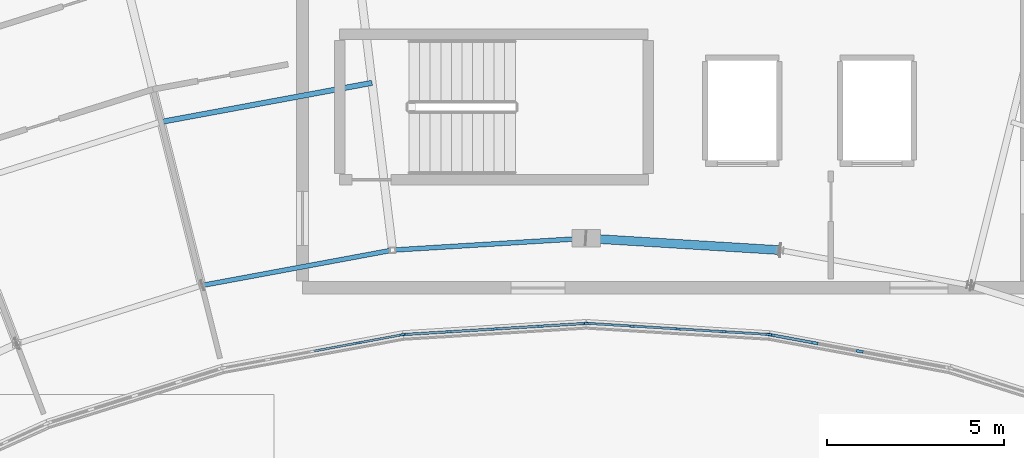
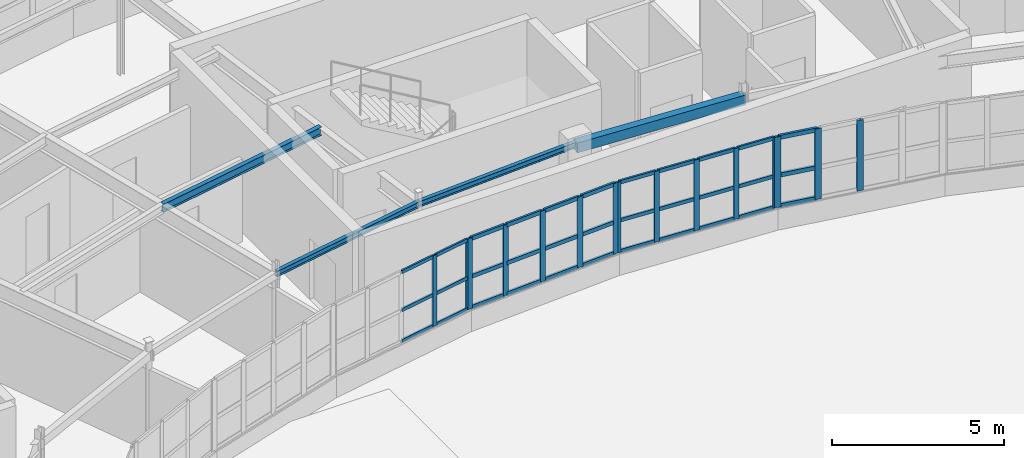
# One storey, part 44 of 128: 48 members, 4 beams, 4 elements without a shape of their own.
"""IFC4 building model written with IfcOpenShell, lengths in metres."""

from ifc_helpers import new_model, si_unit, direction, frame, origin, origin_2d, place, context, subcontext, project, spatial, rectangle, hollow_rectangle, i_section, extrude, material, layer, layer_set, material_profile, profile_set, type_object, element, aggregate, save


model = new_model("IFC4")

# Units and contexts
model_context = context("Model", 3, precision=1e-05, world=origin(), true_north=direction((0.0, 1.0)))
body_context = subcontext(model_context, "Body", "Model", "MODEL_VIEW")
ifc_project = project(units=[si_unit("LENGTHUNIT", "METRE"), si_unit("AREAUNIT", "SQUARE_METRE"), si_unit("VOLUMEUNIT", "CUBIC_METRE"), si_unit("PLANEANGLEUNIT", "RADIAN"), si_unit("MASSUNIT", "GRAM", prefix="KILO")], contexts=[model_context])

# Site, building, storey
site_placement = place(None, origin())
site = spatial("IfcSite", under=ifc_project, at=site_placement, CompositionType="ELEMENT")
building_placement = place(site_placement, origin())
building = spatial("IfcBuilding", under=site, at=building_placement, Name="Tarnwether General Hospital", CompositionType="ELEMENT")
storey_placement = place(building_placement, frame((0.0, 0.0, 14.39990234375)))
storey = spatial("IfcBuildingStorey", under=building, at=storey_placement, Name="L03", CompositionType="ELEMENT", Elevation=14.39990234375)

# Beams
ifc_material_1 = material(Name="Steel Grade 350 (350 MPa)", Category="steel")
ifc_material_profile_1 = material_profile(ifc_material_1, i_section(OverallWidth=0.14892578125, OverallDepth=0.298095703125, WebThickness=0.005615234375, FlangeThickness=0.008056640625, at=origin_2d()), Name="310UB32.0")
ifc_profile_set_1 = profile_set([ifc_material_profile_1], Name="Steel Grade 350 (350 MPa)")
beam_type_1 = type_object("IfcBeamType", Name="BM-J08", PredefinedType="JOIST", material=ifc_profile_set_1)
beam_1_placement = place(storey_placement, frame((80.011962890625, 111.080078125, 3.4111328125), z_axis=(0.983241575901, 0.182307442029, 0.0), x_axis=(-0.182307442029, 0.983241575901, 0.0)))
element("IfcBeam", 1, at=beam_1_placement, inside=storey, type_object=beam_type_1, Name="Curved Ward NW Chord Joist BMG-L03-8001_11108-8596_11218-1934", PredefinedType="JOIST", context=body_context, shape_type="SweptSolid", body=[
    extrude(i_section(OverallWidth=0.14892578125, OverallDepth=0.298095703125, WebThickness=0.005615234375, FlangeThickness=0.008056640625, at=origin_2d()), origin(), (0.0, 0.0, 1.0), 6.05029296875),
])
ifc_material_2 = material(Name="Steel Grade 350 (350 MPa)", Category="steel")
ifc_material_profile_2 = material_profile(ifc_material_2, i_section(OverallWidth=0.133056640625, OverallDepth=0.202880859375, WebThickness=0.005859375, FlangeThickness=0.0078125, at=origin_2d()), Name="200UB25.4")
ifc_profile_set_2 = profile_set([ifc_material_profile_2], Name="Steel Grade 350 (350 MPa)")
beam_type_2 = type_object("IfcBeamType", Name="BM-SP5", PredefinedType="SPANDREL", material=ifc_profile_set_2)
beam_2_placement = place(storey_placement, frame((81.162109375, 106.468994140625, 3.45849609375), z_axis=(0.983244096291, 0.18229384825, 0.0), x_axis=(-0.18229384825, 0.983244096291, 0.0)))
element("IfcBeam", 2, at=beam_2_placement, inside=storey, type_object=beam_type_2, Name="Curved Ward NW Inner Spandrel BMG-L03-8116_10647-8654_10747-1932", PredefinedType="SPANDREL", context=body_context, shape_type="SweptSolid", body=[
    extrude(i_section(OverallWidth=0.133056640625, OverallDepth=0.202880859375, WebThickness=0.005859375, FlangeThickness=0.0078125, at=origin_2d()), origin(), (0.0, 0.0, 1.0), 5.469482421875),
])
ifc_material_3 = material(Name="Steel Grade 350 (350 MPa)", Category="steel")
ifc_material_profile_3 = material_profile(ifc_material_3, i_section(OverallWidth=0.133056640625, OverallDepth=0.201904296875, WebThickness=0.0048828125, FlangeThickness=0.007080078125, at=origin_2d()), Name="200UB22.3")
ifc_profile_set_3 = profile_set([ifc_material_profile_3], Name="Steel Grade 350 (350 MPa)")
beam_type_3 = type_object("IfcBeamType", Name="BM-SP6", PredefinedType="SPANDREL", material=ifc_profile_set_3)
beam_3_placement = place(storey_placement, frame((86.5400390625, 107.466064453125, 3.458984375), z_axis=(0.998134365538, 0.061055616708, 0.0), x_axis=(-0.061055616708, 0.998134365538, 0.0)))
element("IfcBeam", 3, at=beam_3_placement, inside=storey, type_object=beam_type_3, Name="Curved Ward NW Inner Spandrel BMG-L03-8654_10747-9200_10780-1936", PredefinedType="SPANDREL", context=body_context, shape_type="SweptSolid", body=[
    extrude(i_section(OverallWidth=0.133056640625, OverallDepth=0.201904296875, WebThickness=0.0048828125, FlangeThickness=0.007080078125, at=origin_2d()), origin(), (0.0, 0.0, 1.0), 5.47021484375),
])
ifc_material_4 = material(Name="Steel Grade C350L0 (350 MPa)", Category="steel")
ifc_material_profile_4 = material_profile(ifc_material_4, hollow_rectangle(XDim=0.25, YDim=0.35009765625, WallThickness=0.012451171875, at=origin_2d()), Name="RHS350x250x12.5")
ifc_profile_set_4 = profile_set([ifc_material_profile_4], Name="Steel Grade C350L0 (350 MPa)")
beam_type_4 = type_object("IfcBeamType", Name="BM-SP7", PredefinedType="SPANDREL", material=ifc_profile_set_4)
beam_4_placement = place(storey_placement, frame((92.0, 107.800048828125, 3.385009765625), z_axis=(0.998134365538, -0.061055616708, 0.0), x_axis=(0.061055616708, 0.998134365538, 0.0)))
element("IfcBeam", 4, at=beam_4_placement, inside=storey, type_object=beam_type_4, Name="Curved Ward NW Inner Spandrel BMG-L03-9200_10780-9746_10747-1938", PredefinedType="SPANDREL", context=body_context, shape_type="SweptSolid", body=[
    extrude(hollow_rectangle(XDim=0.25, YDim=0.35009765625, WallThickness=0.012451171875, at=origin_2d()), origin(), (0.0, 0.0, 1.0), 5.47021484375),
])

# Curtain wall, members
ifc_material_5 = material(Name="Anodised aluminium", Category="aluminium")
ifc_layer = layer(ifc_material_5, 0.159912109375)
ifc_layer_set = layer_set([ifc_layer], Name="Anodised aluminium")
curtain_wall_type = type_object("IfcCurtainWallType", Name="CW-03", PredefinedType="NOTDEFINED", material=ifc_layer_set)
curtain_wall_1_placement = place(storey_placement, origin())
curtain_wall_1 = element("IfcCurtainWall", 5, at=curtain_wall_1_placement, inside=storey, type_object=curtain_wall_type, Name="Curtain Wall CWG-L03-868_1051-0009", PredefinedType="NOTDEFINED")
ifc_material_6 = material(Name="Anodised aluminium", Category="aluminium")
ifc_material_profile_5 = material_profile(ifc_material_6, rectangle(XDim=0.06005859375, YDim=0.159912109375, at=origin_2d()), Name="ALU-MUL-60x160")
ifc_profile_set_5 = profile_set([ifc_material_profile_5], Name="Anodised aluminium")
member_type_1 = type_object("IfcMemberType", Name="CW-ML1", PredefinedType="MULLION", material=ifc_profile_set_5)
member_1_placement = place(storey_placement, frame((86.803466796875, 105.07861328125, 1.050048828125), z_axis=(0.0, 0.0, 1.0), x_axis=(0.182165351666, -0.983267910924, 0.0)))
member_1 = element("IfcMember", 6, at=member_1_placement, type_object=member_type_1, Name="CW-03 mullion 1", PredefinedType="MULLION", context=body_context, shape_type="SweptSolid", body=[
    extrude(rectangle(XDim=0.06005859375, YDim=0.159912109375, at=origin_2d()), origin(), (0.0, 0.0, 1.0), 2.510009765625),
])
member_2_placement = place(storey_placement, frame((85.560546875, 104.84814453125, 1.050048828125), z_axis=(0.0, 0.0, 1.0), x_axis=(0.182165351666, -0.983267910924, 0.0)))
member_2 = element("IfcMember", 7, at=member_2_placement, type_object=member_type_1, Name="CW-03 mullion 2", PredefinedType="MULLION", context=body_context, shape_type="SweptSolid", body=[
    extrude(rectangle(XDim=0.06005859375, YDim=0.159912109375, at=origin_2d()), origin(), (0.0, 0.0, 1.0), 2.510009765625),
])

curtain_wall_2_placement = place(storey_placement, origin())
curtain_wall_2 = element("IfcCurtainWall", 8, at=curtain_wall_2_placement, inside=storey, type_object=curtain_wall_type, Name="Curtain Wall CWG-L03-920_1054-0010", PredefinedType="NOTDEFINED")
ifc_material_7 = material(Name="Anodised aluminium", Category="aluminium")
ifc_material_profile_6 = material_profile(ifc_material_7, rectangle(XDim=0.070068359375, YDim=0.179931640625, at=origin_2d()), Name="ALU-MUL-70x180")
ifc_profile_set_6 = profile_set([ifc_material_profile_6], Name="Anodised aluminium")
member_type_2 = type_object("IfcMemberType", Name="CW-ML2", PredefinedType="MULLION", material=ifc_profile_set_6)
member_3_placement = place(storey_placement, frame((91.965087890625, 105.39794921875, 1.050048828125), z_axis=(0.0, 0.0, 1.0), x_axis=(0.06104329354, -0.998135119267, 0.0)))
member_3 = element("IfcMember", 9, at=member_3_placement, type_object=member_type_2, Name="CW-03 mullion 1", PredefinedType="MULLION", context=body_context, shape_type="SweptSolid", body=[
    extrude(rectangle(XDim=0.070068359375, YDim=0.179931640625, at=origin_2d()), origin(), (0.0, 0.0, 1.0), 2.510009765625),
])
member_4_placement = place(storey_placement, frame((90.708251953125, 105.321044921875, 1.050048828125), z_axis=(0.0, 0.0, 1.0), x_axis=(0.06104329354, -0.998135119267, 0.0)))
member_4 = element("IfcMember", 10, at=member_4_placement, type_object=member_type_2, Name="CW-03 mullion 2", PredefinedType="MULLION", context=body_context, shape_type="SweptSolid", body=[
    extrude(rectangle(XDim=0.070068359375, YDim=0.179931640625, at=origin_2d()), origin(), (0.0, 0.0, 1.0), 2.510009765625),
])
member_5_placement = place(storey_placement, frame((89.41650390625, 105.241943359375, 1.050048828125), z_axis=(0.0, 0.0, 1.0), x_axis=(0.06104329354, -0.998135119267, 0.0)))
member_5 = element("IfcMember", 11, at=member_5_placement, type_object=member_type_2, Name="CW-03 mullion 3", PredefinedType="MULLION", context=body_context, shape_type="SweptSolid", body=[
    extrude(rectangle(XDim=0.070068359375, YDim=0.179931640625, at=origin_2d()), origin(), (0.0, 0.0, 1.0), 2.510009765625),
])
member_6_placement = place(storey_placement, frame((88.124755859375, 105.1630859375, 1.050048828125), z_axis=(0.0, 0.0, 1.0), x_axis=(0.06104329354, -0.998135119267, 0.0)))
member_6 = element("IfcMember", 12, at=member_6_placement, type_object=member_type_2, Name="CW-03 mullion 4", PredefinedType="MULLION", context=body_context, shape_type="SweptSolid", body=[
    extrude(rectangle(XDim=0.070068359375, YDim=0.179931640625, at=origin_2d()), origin(), (0.0, 0.0, 1.0), 2.510009765625),
])
member_7_placement = place(storey_placement, frame((86.867919921875, 105.086181640625, 1.050048828125), z_axis=(0.0, 0.0, 1.0), x_axis=(0.06104329354, -0.998135119267, 0.0)))
member_7 = element("IfcMember", 13, at=member_7_placement, type_object=member_type_2, Name="CW-03 mullion 5", PredefinedType="MULLION", context=body_context, shape_type="SweptSolid", body=[
    extrude(rectangle(XDim=0.070068359375, YDim=0.179931640625, at=origin_2d()), origin(), (0.0, 0.0, 1.0), 2.510009765625),
])

curtain_wall_3_placement = place(storey_placement, origin())
curtain_wall_3 = element("IfcCurtainWall", 14, at=curtain_wall_3_placement, inside=storey, type_object=curtain_wall_type, Name="Curtain Wall CWG-L03-972_1051-0011", PredefinedType="NOTDEFINED")
ifc_material_8 = material(Name="Anodised aluminium", Category="aluminium")
ifc_material_profile_7 = material_profile(ifc_material_8, rectangle(XDim=0.06494140625, YDim=0.169921875, at=origin_2d()), Name="ALU-MUL-65x170")
ifc_profile_set_7 = profile_set([ifc_material_profile_7], Name="Anodised aluminium")
member_type_3 = type_object("IfcMemberType", Name="CW-ML3", PredefinedType="MULLION", material=ifc_profile_set_7)
member_8_placement = place(storey_placement, frame((97.134521484375, 105.0859375, 1.050048828125), z_axis=(0.0, 0.0, 1.0), x_axis=(-0.06104329354, -0.998135119267, 0.0)))
member_8 = element("IfcMember", 15, at=member_8_placement, type_object=member_type_3, Name="CW-03 mullion 1", PredefinedType="MULLION", context=body_context, shape_type="SweptSolid", body=[
    extrude(rectangle(XDim=0.06494140625, YDim=0.169921875, at=origin_2d()), origin(), (0.0, 0.0, 1.0), 2.510009765625),
])
member_9_placement = place(storey_placement, frame((95.875244140625, 105.1630859375, 1.050048828125), z_axis=(0.0, 0.0, 1.0), x_axis=(-0.06104329354, -0.998135119267, 0.0)))
member_9 = element("IfcMember", 16, at=member_9_placement, type_object=member_type_3, Name="CW-03 mullion 2", PredefinedType="MULLION", context=body_context, shape_type="SweptSolid", body=[
    extrude(rectangle(XDim=0.06494140625, YDim=0.169921875, at=origin_2d()), origin(), (0.0, 0.0, 1.0), 2.510009765625),
])
member_10_placement = place(storey_placement, frame((94.58349609375, 105.241943359375, 1.050048828125), z_axis=(0.0, 0.0, 1.0), x_axis=(-0.06104329354, -0.998135119267, 0.0)))
member_10 = element("IfcMember", 17, at=member_10_placement, type_object=member_type_3, Name="CW-03 mullion 3", PredefinedType="MULLION", context=body_context, shape_type="SweptSolid", body=[
    extrude(rectangle(XDim=0.06494140625, YDim=0.169921875, at=origin_2d()), origin(), (0.0, 0.0, 1.0), 2.510009765625),
])
member_11_placement = place(storey_placement, frame((93.291748046875, 105.321044921875, 1.050048828125), z_axis=(0.0, 0.0, 1.0), x_axis=(-0.06104329354, -0.998135119267, 0.0)))
member_11 = element("IfcMember", 18, at=member_11_placement, type_object=member_type_3, Name="CW-03 mullion 4", PredefinedType="MULLION", context=body_context, shape_type="SweptSolid", body=[
    extrude(rectangle(XDim=0.06494140625, YDim=0.169921875, at=origin_2d()), origin(), (0.0, 0.0, 1.0), 2.510009765625),
])
member_12_placement = place(storey_placement, frame((92.032470703125, 105.39794921875, 1.050048828125), z_axis=(0.0, 0.0, 1.0), x_axis=(-0.06104329354, -0.998135119267, 0.0)))
member_12 = element("IfcMember", 19, at=member_12_placement, type_object=member_type_3, Name="CW-03 mullion 5", PredefinedType="MULLION", context=body_context, shape_type="SweptSolid", body=[
    extrude(rectangle(XDim=0.06494140625, YDim=0.169921875, at=origin_2d()), origin(), (0.0, 0.0, 1.0), 2.510009765625),
])

curtain_wall_4_placement = place(storey_placement, origin())
curtain_wall_4 = element("IfcCurtainWall", 20, at=curtain_wall_4_placement, inside=storey, type_object=curtain_wall_type, Name="Curtain Wall CWG-L03-1023_1041-0012", PredefinedType="NOTDEFINED")
ifc_material_9 = material(Name="Anodised aluminium", Category="aluminium")
ifc_material_profile_8 = material_profile(ifc_material_9, rectangle(XDim=0.080078125, YDim=0.199951171875, at=origin_2d()), Name="ALU-MUL-80x200")
ifc_profile_set_8 = profile_set([ifc_material_profile_8], Name="Anodised aluminium")
member_type_4 = type_object("IfcMemberType", Name="CW-ML4", PredefinedType="MULLION", material=ifc_profile_set_8)
member_13_placement = place(storey_placement, frame((99.7119140625, 104.612548828125, 1.050048828125), z_axis=(0.0, 0.0, 1.0), x_axis=(-0.182165351666, -0.983267910924, 0.0)))
member_13 = element("IfcMember", 21, at=member_13_placement, type_object=member_type_4, Name="CW-03 mullion 3", PredefinedType="MULLION", context=body_context, shape_type="SweptSolid", body=[
    extrude(rectangle(XDim=0.080078125, YDim=0.199951171875, at=origin_2d()), origin(), (0.0, 0.0, 1.0), 2.510009765625),
])
member_14_placement = place(storey_placement, frame((98.439453125, 104.84814453125, 1.050048828125), z_axis=(0.0, 0.0, 1.0), x_axis=(-0.182165351666, -0.983267910924, 0.0)))
member_14 = element("IfcMember", 22, at=member_14_placement, type_object=member_type_4, Name="CW-03 mullion 4", PredefinedType="MULLION", context=body_context, shape_type="SweptSolid", body=[
    extrude(rectangle(XDim=0.080078125, YDim=0.199951171875, at=origin_2d()), origin(), (0.0, 0.0, 1.0), 2.510009765625),
])
member_15_placement = place(storey_placement, frame((97.206298828125, 105.07666015625, 1.050048828125), z_axis=(0.0, 0.0, 1.0), x_axis=(-0.182165351666, -0.983267910924, 0.0)))
member_15 = element("IfcMember", 23, at=member_15_placement, type_object=member_type_4, Name="CW-03 mullion 5", PredefinedType="MULLION", context=body_context, shape_type="SweptSolid", body=[
    extrude(rectangle(XDim=0.080078125, YDim=0.199951171875, at=origin_2d()), origin(), (0.0, 0.0, 1.0), 2.510009765625),
])

# Member
ifc_material_10 = material(Name="Anodised aluminium", Category="aluminium")
ifc_material_profile_9 = material_profile(ifc_material_10, rectangle(XDim=0.06005859375, YDim=0.1201171875, at=origin_2d()), Name="ALU-TRN-60x120")
ifc_profile_set_9 = profile_set([ifc_material_profile_9], Name="Anodised aluminium")
member_type_5 = type_object("IfcMemberType", Name="CW-TR1", PredefinedType="USERDEFINED", material=ifc_profile_set_9)
member_16_placement = place(storey_placement, frame((86.77392578125, 105.072998046875, 1.080078125), z_axis=(-0.983280660262, -0.182096521533, 0.0), x_axis=(0.182096521533, -0.983280660262, 0.0)))
member_16 = element("IfcMember", 24, at=member_16_placement, type_object=member_type_5, Name="CW-03 transom 1.1", ObjectType="TRANSOM", PredefinedType="USERDEFINED", context=body_context, shape_type="SweptSolid", body=[
    extrude(rectangle(XDim=0.06005859375, YDim=0.1201171875, at=origin_2d()), origin(), (0.0, 0.0, 1.0), 1.203857421875),
])

member_17_placement = place(storey_placement, frame((86.77392578125, 105.072998046875, 2.1796875), z_axis=(-0.983280660262, -0.182096521533, 0.0), x_axis=(0.182096521533, -0.983280660262, 0.0)))
member_17 = element("IfcMember", 25, at=member_17_placement, type_object=member_type_5, Name="CW-03 transom 1.2", ObjectType="TRANSOM", PredefinedType="USERDEFINED", context=body_context, shape_type="SweptSolid", body=[
    extrude(rectangle(XDim=0.06005859375, YDim=0.1201171875, at=origin_2d()), origin(), (0.0, 0.0, 1.0), 1.203857421875),
])

member_18_placement = place(storey_placement, frame((86.77392578125, 105.072998046875, 3.530029296875), z_axis=(-0.983280660262, -0.182096521533, 0.0), x_axis=(0.182096521533, -0.983280660262, 0.0)))
member_18 = element("IfcMember", 26, at=member_18_placement, type_object=member_type_5, Name="CW-03 transom 1.3", ObjectType="TRANSOM", PredefinedType="USERDEFINED", context=body_context, shape_type="SweptSolid", body=[
    extrude(rectangle(XDim=0.06005859375, YDim=0.1201171875, at=origin_2d()), origin(), (0.0, 0.0, 1.0), 1.203857421875),
])

member_19_placement = place(storey_placement, frame((85.531005859375, 104.8427734375, 1.080078125), z_axis=(-0.983266261218, -0.182174256001, 0.0), x_axis=(0.182174256001, -0.983266261218, 0.0)))
member_19 = element("IfcMember", 27, at=member_19_placement, type_object=member_type_5, Name="CW-03 transom 2.1", ObjectType="TRANSOM", PredefinedType="USERDEFINED", context=body_context, shape_type="SweptSolid", body=[
    extrude(rectangle(XDim=0.06005859375, YDim=0.1201171875, at=origin_2d()), origin(), (0.0, 0.0, 1.0), 1.234375),
])

member_20_placement = place(storey_placement, frame((85.531005859375, 104.8427734375, 2.1796875), z_axis=(-0.983266261218, -0.182174256001, 0.0), x_axis=(0.182174256001, -0.983266261218, 0.0)))
member_20 = element("IfcMember", 28, at=member_20_placement, type_object=member_type_5, Name="CW-03 transom 2.2", ObjectType="TRANSOM", PredefinedType="USERDEFINED", context=body_context, shape_type="SweptSolid", body=[
    extrude(rectangle(XDim=0.06005859375, YDim=0.1201171875, at=origin_2d()), origin(), (0.0, 0.0, 1.0), 1.234375),
])

member_21_placement = place(storey_placement, frame((85.531005859375, 104.8427734375, 3.530029296875), z_axis=(-0.983266261218, -0.182174256001, 0.0), x_axis=(0.182174256001, -0.983266261218, 0.0)))
member_21 = element("IfcMember", 29, at=member_21_placement, type_object=member_type_5, Name="CW-03 transom 2.3", ObjectType="TRANSOM", PredefinedType="USERDEFINED", context=body_context, shape_type="SweptSolid", body=[
    extrude(rectangle(XDim=0.06005859375, YDim=0.1201171875, at=origin_2d()), origin(), (0.0, 0.0, 1.0), 1.234375),
])

aggregate(curtain_wall_1, [member_1, member_2, member_16, member_17, member_18, member_19, member_20, member_21])

ifc_material_11 = material(Name="Anodised aluminium", Category="aluminium")
ifc_material_profile_10 = material_profile(ifc_material_11, rectangle(XDim=0.070068359375, YDim=0.139892578125, at=origin_2d()), Name="ALU-TRN-70x140")
ifc_profile_set_10 = profile_set([ifc_material_profile_10], Name="Anodised aluminium")
member_type_6 = type_object("IfcMemberType", Name="CW-TR2", PredefinedType="USERDEFINED", material=ifc_profile_set_10)
member_22_placement = place(storey_placement, frame((91.93017578125, 105.395751953125, 1.085205078125), z_axis=(-0.9981394573, -0.06097231979, 0.0), x_axis=(0.06097231979, -0.9981394573, 0.0)))
member_22 = element("IfcMember", 30, at=member_22_placement, type_object=member_type_6, Name="CW-03 transom 1.1", ObjectType="TRANSOM", PredefinedType="USERDEFINED", context=body_context, shape_type="SweptSolid", body=[
    extrude(rectangle(XDim=0.070068359375, YDim=0.139892578125, at=origin_2d()), origin(), (0.0, 0.0, 1.0), 1.189208984375),
])

member_23_placement = place(storey_placement, frame((91.93017578125, 105.395751953125, 2.1796875), z_axis=(-0.9981394573, -0.06097231979, 0.0), x_axis=(0.06097231979, -0.9981394573, 0.0)))
member_23 = element("IfcMember", 31, at=member_23_placement, type_object=member_type_6, Name="CW-03 transom 1.2", ObjectType="TRANSOM", PredefinedType="USERDEFINED", context=body_context, shape_type="SweptSolid", body=[
    extrude(rectangle(XDim=0.070068359375, YDim=0.139892578125, at=origin_2d()), origin(), (0.0, 0.0, 1.0), 1.189208984375),
])

member_24_placement = place(storey_placement, frame((91.93017578125, 105.395751953125, 3.525146484375), z_axis=(-0.9981394573, -0.06097231979, 0.0), x_axis=(0.06097231979, -0.9981394573, 0.0)))
member_24 = element("IfcMember", 32, at=member_24_placement, type_object=member_type_6, Name="CW-03 transom 1.3", ObjectType="TRANSOM", PredefinedType="USERDEFINED", context=body_context, shape_type="SweptSolid", body=[
    extrude(rectangle(XDim=0.070068359375, YDim=0.139892578125, at=origin_2d()), origin(), (0.0, 0.0, 1.0), 1.189208984375),
])

member_25_placement = place(storey_placement, frame((90.67333984375, 105.31884765625, 1.085205078125), z_axis=(-0.998136243192, -0.06102491317, 0.0), x_axis=(0.06102491317, -0.998136243192, 0.0)))
member_25 = element("IfcMember", 33, at=member_25_placement, type_object=member_type_6, Name="CW-03 transom 2.1", ObjectType="TRANSOM", PredefinedType="USERDEFINED", context=body_context, shape_type="SweptSolid", body=[
    extrude(rectangle(XDim=0.070068359375, YDim=0.139892578125, at=origin_2d()), origin(), (0.0, 0.0, 1.0), 1.22412109375),
])

member_26_placement = place(storey_placement, frame((90.67333984375, 105.31884765625, 2.1796875), z_axis=(-0.998136243192, -0.06102491317, 0.0), x_axis=(0.06102491317, -0.998136243192, 0.0)))
member_26 = element("IfcMember", 34, at=member_26_placement, type_object=member_type_6, Name="CW-03 transom 2.2", ObjectType="TRANSOM", PredefinedType="USERDEFINED", context=body_context, shape_type="SweptSolid", body=[
    extrude(rectangle(XDim=0.070068359375, YDim=0.139892578125, at=origin_2d()), origin(), (0.0, 0.0, 1.0), 1.22412109375),
])

member_27_placement = place(storey_placement, frame((90.67333984375, 105.31884765625, 3.525146484375), z_axis=(-0.998136243192, -0.06102491317, 0.0), x_axis=(0.06102491317, -0.998136243192, 0.0)))
member_27 = element("IfcMember", 35, at=member_27_placement, type_object=member_type_6, Name="CW-03 transom 2.3", ObjectType="TRANSOM", PredefinedType="USERDEFINED", context=body_context, shape_type="SweptSolid", body=[
    extrude(rectangle(XDim=0.070068359375, YDim=0.139892578125, at=origin_2d()), origin(), (0.0, 0.0, 1.0), 1.22412109375),
])

member_28_placement = place(storey_placement, frame((89.381591796875, 105.23974609375, 1.085205078125), z_axis=(-0.998136243192, -0.06102491317, 0.0), x_axis=(0.06102491317, -0.998136243192, 0.0)))
member_28 = element("IfcMember", 36, at=member_28_placement, type_object=member_type_6, Name="CW-03 transom 3.1", ObjectType="TRANSOM", PredefinedType="USERDEFINED", context=body_context, shape_type="SweptSolid", body=[
    extrude(rectangle(XDim=0.070068359375, YDim=0.139892578125, at=origin_2d()), origin(), (0.0, 0.0, 1.0), 1.22412109375),
])

member_29_placement = place(storey_placement, frame((89.381591796875, 105.23974609375, 2.1796875), z_axis=(-0.998136243192, -0.06102491317, 0.0), x_axis=(0.06102491317, -0.998136243192, 0.0)))
member_29 = element("IfcMember", 37, at=member_29_placement, type_object=member_type_6, Name="CW-03 transom 3.2", ObjectType="TRANSOM", PredefinedType="USERDEFINED", context=body_context, shape_type="SweptSolid", body=[
    extrude(rectangle(XDim=0.070068359375, YDim=0.139892578125, at=origin_2d()), origin(), (0.0, 0.0, 1.0), 1.22412109375),
])

member_30_placement = place(storey_placement, frame((89.381591796875, 105.23974609375, 3.525146484375), z_axis=(-0.998136243192, -0.06102491317, 0.0), x_axis=(0.06102491317, -0.998136243192, 0.0)))
member_30 = element("IfcMember", 38, at=member_30_placement, type_object=member_type_6, Name="CW-03 transom 3.3", ObjectType="TRANSOM", PredefinedType="USERDEFINED", context=body_context, shape_type="SweptSolid", body=[
    extrude(rectangle(XDim=0.070068359375, YDim=0.139892578125, at=origin_2d()), origin(), (0.0, 0.0, 1.0), 1.22412109375),
])

member_31_placement = place(storey_placement, frame((88.08984375, 105.160888671875, 1.085205078125), z_axis=(-0.9981394573, -0.06097231979, 0.0), x_axis=(0.06097231979, -0.9981394573, 0.0)))
member_31 = element("IfcMember", 39, at=member_31_placement, type_object=member_type_6, Name="CW-03 transom 4.1", ObjectType="TRANSOM", PredefinedType="USERDEFINED", context=body_context, shape_type="SweptSolid", body=[
    extrude(rectangle(XDim=0.070068359375, YDim=0.139892578125, at=origin_2d()), origin(), (0.0, 0.0, 1.0), 1.189208984375),
])

member_32_placement = place(storey_placement, frame((88.08984375, 105.160888671875, 2.1796875), z_axis=(-0.9981394573, -0.06097231979, 0.0), x_axis=(0.06097231979, -0.9981394573, 0.0)))
member_32 = element("IfcMember", 40, at=member_32_placement, type_object=member_type_6, Name="CW-03 transom 4.2", ObjectType="TRANSOM", PredefinedType="USERDEFINED", context=body_context, shape_type="SweptSolid", body=[
    extrude(rectangle(XDim=0.070068359375, YDim=0.139892578125, at=origin_2d()), origin(), (0.0, 0.0, 1.0), 1.189208984375),
])

member_33_placement = place(storey_placement, frame((88.08984375, 105.160888671875, 3.525146484375), z_axis=(-0.9981394573, -0.06097231979, 0.0), x_axis=(0.06097231979, -0.9981394573, 0.0)))
member_33 = element("IfcMember", 41, at=member_33_placement, type_object=member_type_6, Name="CW-03 transom 4.3", ObjectType="TRANSOM", PredefinedType="USERDEFINED", context=body_context, shape_type="SweptSolid", body=[
    extrude(rectangle(XDim=0.070068359375, YDim=0.139892578125, at=origin_2d()), origin(), (0.0, 0.0, 1.0), 1.189208984375),
])

aggregate(curtain_wall_2, [member_3, member_4, member_5, member_6, member_7, member_22, member_23, member_24, member_25, member_26, member_27, member_28, member_29, member_30, member_31, member_32, member_33])

ifc_material_12 = material(Name="Anodised aluminium", Category="aluminium")
ifc_material_profile_11 = material_profile(ifc_material_12, rectangle(XDim=0.06494140625, YDim=0.1298828125, at=origin_2d()), Name="ALU-TRN-65x130")
ifc_profile_set_11 = profile_set([ifc_material_profile_11], Name="Anodised aluminium")
member_type_7 = type_object("IfcMemberType", Name="CW-TR3", PredefinedType="USERDEFINED", material=ifc_profile_set_11)
member_34_placement = place(storey_placement, frame((97.10205078125, 105.087890625, 1.08251953125), z_axis=(-0.998124933036, 0.061209623857, 0.0), x_axis=(-0.061209623857, -0.998124933036, 0.0)))
member_34 = element("IfcMember", 42, at=member_34_placement, type_object=member_type_7, Name="CW-03 transom 1.1", ObjectType="TRANSOM", PredefinedType="USERDEFINED", context=body_context, shape_type="SweptSolid", body=[
    extrude(rectangle(XDim=0.06494140625, YDim=0.1298828125, at=origin_2d()), origin(), (0.0, 0.0, 1.0), 1.196533203125),
])

member_35_placement = place(storey_placement, frame((97.10205078125, 105.087890625, 2.1796875), z_axis=(-0.998124933036, 0.061209623857, 0.0), x_axis=(-0.061209623857, -0.998124933036, 0.0)))
member_35 = element("IfcMember", 43, at=member_35_placement, type_object=member_type_7, Name="CW-03 transom 1.2", ObjectType="TRANSOM", PredefinedType="USERDEFINED", context=body_context, shape_type="SweptSolid", body=[
    extrude(rectangle(XDim=0.06494140625, YDim=0.1298828125, at=origin_2d()), origin(), (0.0, 0.0, 1.0), 1.196533203125),
])

member_36_placement = place(storey_placement, frame((97.10205078125, 105.087890625, 3.527587890625), z_axis=(-0.998124933036, 0.061209623857, 0.0), x_axis=(-0.061209623857, -0.998124933036, 0.0)))
member_36 = element("IfcMember", 44, at=member_36_placement, type_object=member_type_7, Name="CW-03 transom 1.3", ObjectType="TRANSOM", PredefinedType="USERDEFINED", context=body_context, shape_type="SweptSolid", body=[
    extrude(rectangle(XDim=0.06494140625, YDim=0.1298828125, at=origin_2d()), origin(), (0.0, 0.0, 1.0), 1.196533203125),
])

member_37_placement = place(storey_placement, frame((95.8427734375, 105.1650390625, 1.08251953125), z_axis=(-0.998138937615, 0.060980826636, 0.0), x_axis=(-0.060980826636, -0.998138937615, 0.0)))
member_37 = element("IfcMember", 45, at=member_37_placement, type_object=member_type_7, Name="CW-03 transom 2.1", ObjectType="TRANSOM", PredefinedType="USERDEFINED", context=body_context, shape_type="SweptSolid", body=[
    extrude(rectangle(XDim=0.06494140625, YDim=0.1298828125, at=origin_2d()), origin(), (0.0, 0.0, 1.0), 1.22900390625),
])

member_38_placement = place(storey_placement, frame((95.8427734375, 105.1650390625, 2.1796875), z_axis=(-0.998138937615, 0.060980826636, 0.0), x_axis=(-0.060980826636, -0.998138937615, 0.0)))
member_38 = element("IfcMember", 46, at=member_38_placement, type_object=member_type_7, Name="CW-03 transom 2.2", ObjectType="TRANSOM", PredefinedType="USERDEFINED", context=body_context, shape_type="SweptSolid", body=[
    extrude(rectangle(XDim=0.06494140625, YDim=0.1298828125, at=origin_2d()), origin(), (0.0, 0.0, 1.0), 1.22900390625),
])

member_39_placement = place(storey_placement, frame((95.8427734375, 105.1650390625, 3.527587890625), z_axis=(-0.998138937615, 0.060980826636, 0.0), x_axis=(-0.060980826636, -0.998138937615, 0.0)))
member_39 = element("IfcMember", 47, at=member_39_placement, type_object=member_type_7, Name="CW-03 transom 2.3", ObjectType="TRANSOM", PredefinedType="USERDEFINED", context=body_context, shape_type="SweptSolid", body=[
    extrude(rectangle(XDim=0.06494140625, YDim=0.1298828125, at=origin_2d()), origin(), (0.0, 0.0, 1.0), 1.22900390625),
])

member_40_placement = place(storey_placement, frame((94.551025390625, 105.243896484375, 1.08251953125), z_axis=(-0.998126827784, 0.061178718997, 0.0), x_axis=(-0.061178718997, -0.998126827784, 0.0)))
member_40 = element("IfcMember", 48, at=member_40_placement, type_object=member_type_7, Name="CW-03 transom 3.1", ObjectType="TRANSOM", PredefinedType="USERDEFINED", context=body_context, shape_type="SweptSolid", body=[
    extrude(rectangle(XDim=0.06494140625, YDim=0.1298828125, at=origin_2d()), origin(), (0.0, 0.0, 1.0), 1.22900390625),
])

member_41_placement = place(storey_placement, frame((94.551025390625, 105.243896484375, 2.1796875), z_axis=(-0.998126827784, 0.061178718997, 0.0), x_axis=(-0.061178718997, -0.998126827784, 0.0)))
member_41 = element("IfcMember", 49, at=member_41_placement, type_object=member_type_7, Name="CW-03 transom 3.2", ObjectType="TRANSOM", PredefinedType="USERDEFINED", context=body_context, shape_type="SweptSolid", body=[
    extrude(rectangle(XDim=0.06494140625, YDim=0.1298828125, at=origin_2d()), origin(), (0.0, 0.0, 1.0), 1.22900390625),
])

member_42_placement = place(storey_placement, frame((94.551025390625, 105.243896484375, 3.527587890625), z_axis=(-0.998126827784, 0.061178718997, 0.0), x_axis=(-0.061178718997, -0.998126827784, 0.0)))
member_42 = element("IfcMember", 50, at=member_42_placement, type_object=member_type_7, Name="CW-03 transom 3.3", ObjectType="TRANSOM", PredefinedType="USERDEFINED", context=body_context, shape_type="SweptSolid", body=[
    extrude(rectangle(XDim=0.06494140625, YDim=0.1298828125, at=origin_2d()), origin(), (0.0, 0.0, 1.0), 1.22900390625),
])

member_43_placement = place(storey_placement, frame((93.25927734375, 105.322998046875, 1.08251953125), z_axis=(-0.998137377802, 0.061006352405, 0.0), x_axis=(-0.061006352405, -0.998137377802, 0.0)))
member_43 = element("IfcMember", 51, at=member_43_placement, type_object=member_type_7, Name="CW-03 transom 4.1", ObjectType="TRANSOM", PredefinedType="USERDEFINED", context=body_context, shape_type="SweptSolid", body=[
    extrude(rectangle(XDim=0.06494140625, YDim=0.1298828125, at=origin_2d()), origin(), (0.0, 0.0, 1.0), 1.196533203125),
])

member_44_placement = place(storey_placement, frame((93.25927734375, 105.322998046875, 2.1796875), z_axis=(-0.998137377802, 0.061006352405, 0.0), x_axis=(-0.061006352405, -0.998137377802, 0.0)))
member_44 = element("IfcMember", 52, at=member_44_placement, type_object=member_type_7, Name="CW-03 transom 4.2", ObjectType="TRANSOM", PredefinedType="USERDEFINED", context=body_context, shape_type="SweptSolid", body=[
    extrude(rectangle(XDim=0.06494140625, YDim=0.1298828125, at=origin_2d()), origin(), (0.0, 0.0, 1.0), 1.196533203125),
])

member_45_placement = place(storey_placement, frame((93.25927734375, 105.322998046875, 3.527587890625), z_axis=(-0.998137377802, 0.061006352405, 0.0), x_axis=(-0.061006352405, -0.998137377802, 0.0)))
member_45 = element("IfcMember", 53, at=member_45_placement, type_object=member_type_7, Name="CW-03 transom 4.3", ObjectType="TRANSOM", PredefinedType="USERDEFINED", context=body_context, shape_type="SweptSolid", body=[
    extrude(rectangle(XDim=0.06494140625, YDim=0.1298828125, at=origin_2d()), origin(), (0.0, 0.0, 1.0), 1.196533203125),
])

aggregate(curtain_wall_3, [member_8, member_9, member_10, member_11, member_12, member_34, member_35, member_36, member_37, member_38, member_39, member_40, member_41, member_42, member_43, member_44, member_45])

ifc_material_13 = material(Name="Anodised aluminium", Category="aluminium")
ifc_material_profile_12 = material_profile(ifc_material_13, rectangle(XDim=0.080078125, YDim=0.14990234375, at=origin_2d()), Name="ALU-TRN-80x150")
ifc_profile_set_12 = profile_set([ifc_material_profile_12], Name="Anodised aluminium")
member_type_8 = type_object("IfcMemberType", Name="CW-TR4", PredefinedType="USERDEFINED", material=ifc_profile_set_12)
member_46_placement = place(storey_placement, frame((98.400146484375, 104.85546875, 1.090087890625), z_axis=(-0.983272351961, 0.182141378794, 0.0), x_axis=(-0.182141378794, -0.983272351961, 0.0)))
member_46 = element("IfcMember", 54, at=member_46_placement, type_object=member_type_8, Name="CW-03 transom 4.1", ObjectType="TRANSOM", PredefinedType="USERDEFINED", context=body_context, shape_type="SweptSolid", body=[
    extrude(rectangle(XDim=0.080078125, YDim=0.14990234375, at=origin_2d()), origin(), (0.0, 0.0, 1.0), 1.174072265625),
])

member_47_placement = place(storey_placement, frame((98.400146484375, 104.85546875, 2.1796875), z_axis=(-0.983272351961, 0.182141378794, 0.0), x_axis=(-0.182141378794, -0.983272351961, 0.0)))
member_47 = element("IfcMember", 55, at=member_47_placement, type_object=member_type_8, Name="CW-03 transom 4.2", ObjectType="TRANSOM", PredefinedType="USERDEFINED", context=body_context, shape_type="SweptSolid", body=[
    extrude(rectangle(XDim=0.080078125, YDim=0.14990234375, at=origin_2d()), origin(), (0.0, 0.0, 1.0), 1.174072265625),
])

member_48_placement = place(storey_placement, frame((98.400146484375, 104.85546875, 3.52001953125), z_axis=(-0.983272351961, 0.182141378794, 0.0), x_axis=(-0.182141378794, -0.983272351961, 0.0)))
member_48 = element("IfcMember", 56, at=member_48_placement, type_object=member_type_8, Name="CW-03 transom 4.3", ObjectType="TRANSOM", PredefinedType="USERDEFINED", context=body_context, shape_type="SweptSolid", body=[
    extrude(rectangle(XDim=0.080078125, YDim=0.14990234375, at=origin_2d()), origin(), (0.0, 0.0, 1.0), 1.174072265625),
])

aggregate(curtain_wall_4, [member_13, member_14, member_15, member_46, member_47, member_48])

save(model, "model.ifc")
